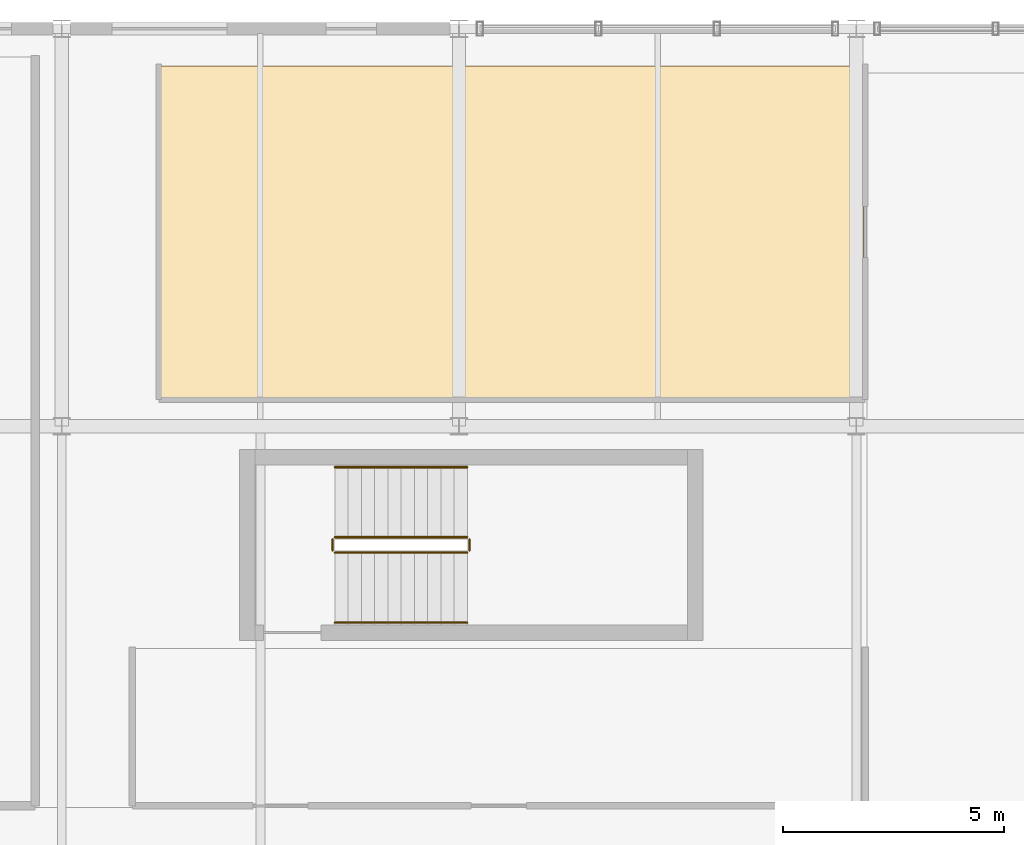
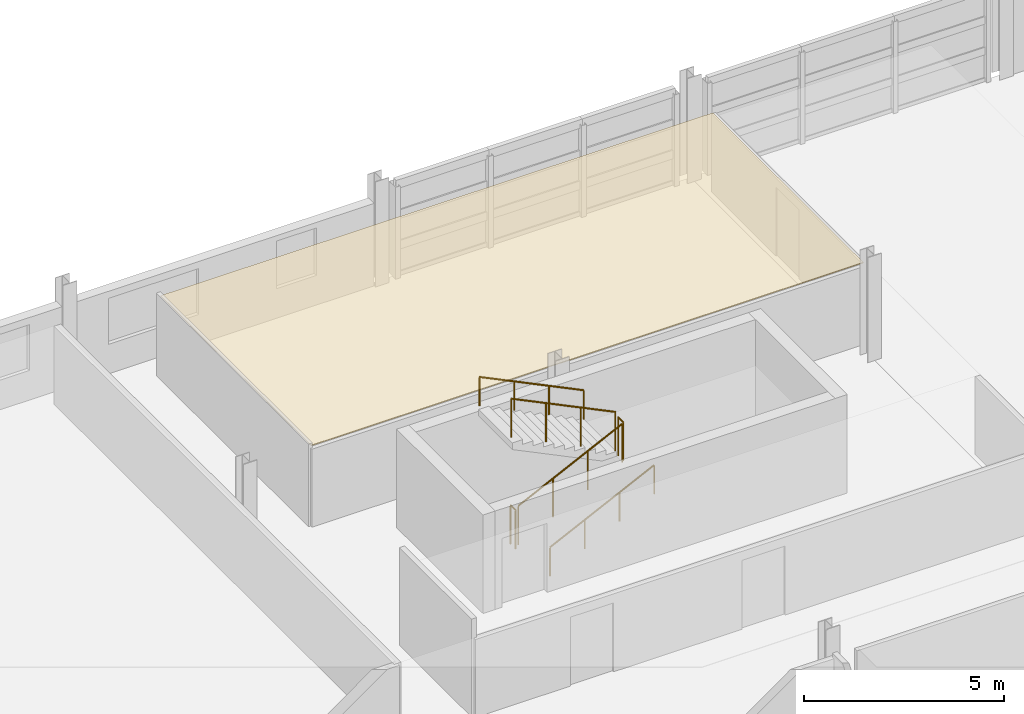
# One storey, part 84 of 86: 6 railings, 1 covering.
"""IFC4 building model written with IfcOpenShell, lengths in metres."""

from ifc_helpers import new_model, si_unit, direction, frame, origin, origin_2d, place, context, subcontext, project, spatial, polyline, circle, outline, extrude, material, layer, layer_set, type_object, element, save


model = new_model("IFC4")

# Units and contexts
model_context = context("Model", 3, precision=1e-05, world=origin(), true_north=direction((0.0, 1.0)))
body_context = subcontext(model_context, "Body", "Model", "MODEL_VIEW")
ifc_project = project(units=[si_unit("LENGTHUNIT", "METRE"), si_unit("AREAUNIT", "SQUARE_METRE"), si_unit("VOLUMEUNIT", "CUBIC_METRE"), si_unit("PLANEANGLEUNIT", "RADIAN"), si_unit("MASSUNIT", "GRAM", prefix="KILO")], contexts=[model_context])

# Site, building, storey
site_placement = place(None, origin())
site = spatial("IfcSite", under=ifc_project, at=site_placement, CompositionType="ELEMENT")
building_placement = place(site_placement, origin())
building = spatial("IfcBuilding", under=site, at=building_placement, Name="Chuanluo Vaults Station", CompositionType="ELEMENT")
storey_placement = place(building_placement, frame((0.0, 0.0, 14.39990234375)))
storey = spatial("IfcBuildingStorey", under=building, at=storey_placement, Name="L03", CompositionType="ELEMENT", Elevation=14.39990234375)

# Covering
ifc_material_1 = material(Name="Acoustic mineral-fibre tile")
ifc_layer = layer(ifc_material_1, 0.02490234375)
ifc_layer_set = layer_set([ifc_layer], Name="Acoustic mineral-fibre tile")
covering_type = type_object("IfcCoveringType", Name="COV-CEIL-TILE", PredefinedType="CEILING", material=ifc_layer_set)
covering_placement = place(storey_placement, frame((0.0, 0.0, 2.400146484375)))
element("IfcCovering", 1, at=covering_placement, inside=storey, type_object=covering_type, Name="L03-21 suspended acoustic ceiling", PredefinedType="CEILING", context=body_context, shape_type="SweptSolid", body=[
    extrude(outline(polyline([(147.239990234375, 117.639892578125), (163.159912109375, 117.639892578125), (163.159912109375, 125.159912109375), (147.239990234375, 125.159912109375), (147.239990234375, 117.639892578125)])), origin(), (0.0, 0.0, 1.0), 0.02490234375),
])

# Railings
ifc_material_2 = material(Name="Tempered laminated balustrade glass", Category="glass")
railing_type_1 = type_object("IfcRailingType", Name="RLG-GUARD-1200", PredefinedType="BALUSTRADE", material=ifc_material_2)
railing_1_placement = place(storey_placement, frame((151.1875, 114.135009765625, 0.1455078125)))
element("IfcRailing", 2, at=railing_1_placement, inside=storey, type_object=railing_type_1, Name="L03 ST-03 stair guard 1", PredefinedType="BALUSTRADE", context=body_context, shape_type="SweptSolid", body=[
    extrude(circle(Radius=0.02392578125, at=origin_2d()), frame((0.0, 0.0, 1.17578125), z_axis=(0.899808880547, 0.0, 0.43628428632), x_axis=(0.0, 1.0, 0.0)), (0.0, 0.0, 1.0), 3.333984375),
    extrude(circle(Radius=0.02099609375, at=origin_2d()), origin(), (0.0, 0.0, 1.0), 1.15185546875),
    extrude(circle(Radius=0.02099609375, at=origin_2d()), frame((1.0, 0.0, 0.48486328125)), (0.0, 0.0, 1.0), 1.15185546875),
    extrude(circle(Radius=0.02099609375, at=origin_2d()), frame((2.0, 0.0, 0.9697265625)), (0.0, 0.0, 1.0), 1.15185546875),
    extrude(circle(Radius=0.02099609375, at=origin_2d()), frame((3.0, 0.0, 1.45458984375)), (0.0, 0.0, 1.0), 1.15185546875),
])
railing_2_placement = place(storey_placement, frame((154.237548828125, 114.18505859375, 1.60009765625)))
element("IfcRailing", 3, at=railing_2_placement, inside=storey, type_object=railing_type_1, Name="L03 ST-03 stair guard 2", PredefinedType="BALUSTRADE", context=body_context, shape_type="SweptSolid", body=[
    extrude(circle(Radius=0.02392578125, at=origin_2d()), frame((0.0, 0.0, 1.17578125), z_axis=(0.0, 1.0, 0.0), x_axis=(-1.0, 0.0, 0.0)), (0.0, 0.0, 1.0), 0.25),
    extrude(circle(Radius=0.02099609375, at=origin_2d()), origin(), (0.0, 0.0, 1.0), 1.15185546875),
    extrude(circle(Radius=0.02099609375, at=origin_2d()), frame((0.0, 0.25, 0.0)), (0.0, 0.0, 1.0), 1.15185546875),
])
railing_3_placement = place(storey_placement, frame((154.1875, 114.485107421875, 1.74560546875)))
element("IfcRailing", 4, at=railing_3_placement, inside=storey, type_object=railing_type_1, Name="L03 ST-03 stair guard 3", PredefinedType="BALUSTRADE", context=body_context, shape_type="SweptSolid", body=[
    extrude(circle(Radius=0.02392578125, at=origin_2d()), frame((0.0, 0.0, 1.17578125), z_axis=(-0.899808880547, 0.0, 0.43628428632), x_axis=(0.0, -1.0, 0.0)), (0.0, 0.0, 1.0), 3.333984375),
    extrude(circle(Radius=0.02099609375, at=origin_2d()), origin(), (0.0, 0.0, 1.0), 1.15185546875),
    extrude(circle(Radius=0.02099609375, at=origin_2d()), frame((-1.0, 0.0, 0.48486328125)), (0.0, 0.0, 1.0), 1.15185546875),
    extrude(circle(Radius=0.02099609375, at=origin_2d()), frame((-2.0, 0.0, 0.9697265625)), (0.0, 0.0, 1.0), 1.15185546875),
    extrude(circle(Radius=0.02099609375, at=origin_2d()), frame((-3.0, 0.0, 1.45458984375)), (0.0, 0.0, 1.0), 1.15185546875),
])
railing_4_placement = place(storey_placement, frame((151.137451171875, 114.18505859375, 0.0)))
element("IfcRailing", 5, at=railing_4_placement, inside=storey, type_object=railing_type_1, Name="L03 ST-03 stair guard 4", PredefinedType="BALUSTRADE", context=body_context, shape_type="SweptSolid", body=[
    extrude(circle(Radius=0.02392578125, at=origin_2d()), frame((0.0, 0.0, 1.17578125), z_axis=(0.0, 1.0, 0.0), x_axis=(-1.0, 0.0, 0.0)), (0.0, 0.0, 1.0), 0.25),
    extrude(circle(Radius=0.02099609375, at=origin_2d()), origin(), (0.0, 0.0, 1.0), 1.15185546875),
    extrude(circle(Radius=0.02099609375, at=origin_2d()), frame((0.0, 0.25, 0.0)), (0.0, 0.0, 1.0), 1.15185546875),
])
ifc_material_3 = material(Name="Brushed stainless steel 304", Category="steel")
railing_type_2 = type_object("IfcRailingType", Name="RLG-HAND-900", PredefinedType="HANDRAIL", material=ifc_material_3)
railing_5_placement = place(storey_placement, frame((151.1875, 112.550048828125, 0.1455078125)))
element("IfcRailing", 6, at=railing_5_placement, inside=storey, type_object=railing_type_2, Name="L03 ST-03 stair handrail 1", PredefinedType="HANDRAIL", context=body_context, shape_type="SweptSolid", body=[
    extrude(circle(Radius=0.02392578125, at=origin_2d()), frame((0.0, 0.0, 0.8759765625), z_axis=(0.899808880547, 0.0, 0.43628428632), x_axis=(0.0, 1.0, 0.0)), (0.0, 0.0, 1.0), 3.333984375),
    extrude(circle(Radius=0.02099609375, at=origin_2d()), origin(), (0.0, 0.0, 1.0), 0.851806640625),
    extrude(circle(Radius=0.02099609375, at=origin_2d()), frame((1.0, 0.0, 0.48486328125)), (0.0, 0.0, 1.0), 0.851806640625),
    extrude(circle(Radius=0.02099609375, at=origin_2d()), frame((2.0, 0.0, 0.9697265625)), (0.0, 0.0, 1.0), 0.851806640625),
    extrude(circle(Radius=0.02099609375, at=origin_2d()), frame((3.0, 0.0, 1.45458984375)), (0.0, 0.0, 1.0), 0.851806640625),
])
railing_6_placement = place(storey_placement, frame((154.1875, 116.070068359375, 1.74560546875)))
element("IfcRailing", 7, at=railing_6_placement, inside=storey, type_object=railing_type_2, Name="L03 ST-03 stair handrail 2", PredefinedType="HANDRAIL", context=body_context, shape_type="SweptSolid", body=[
    extrude(circle(Radius=0.02392578125, at=origin_2d()), frame((0.0, 0.0, 0.8759765625), z_axis=(-0.899808880547, 0.0, 0.43628428632), x_axis=(0.0, -1.0, 0.0)), (0.0, 0.0, 1.0), 3.333984375),
    extrude(circle(Radius=0.02099609375, at=origin_2d()), origin(), (0.0, 0.0, 1.0), 0.851806640625),
    extrude(circle(Radius=0.02099609375, at=origin_2d()), frame((-1.0, 0.0, 0.48486328125)), (0.0, 0.0, 1.0), 0.851806640625),
    extrude(circle(Radius=0.02099609375, at=origin_2d()), frame((-2.0, 0.0, 0.9697265625)), (0.0, 0.0, 1.0), 0.851806640625),
    extrude(circle(Radius=0.02099609375, at=origin_2d()), frame((-3.0, 0.0, 1.45458984375)), (0.0, 0.0, 1.0), 0.851806640625),
])

save(model, "model.ifc")
